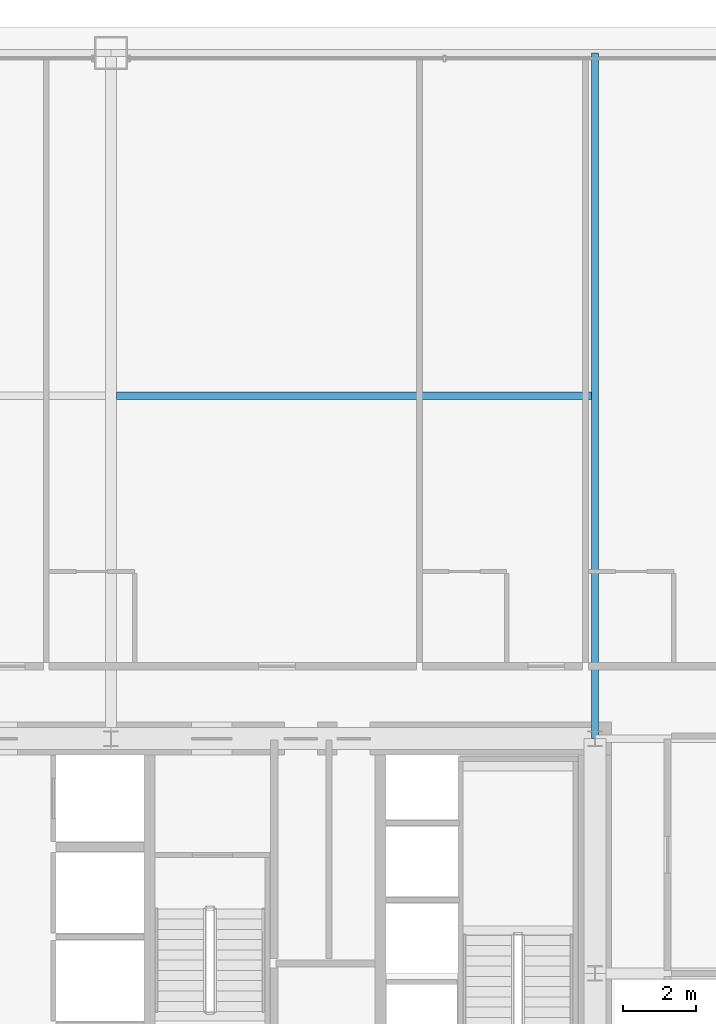
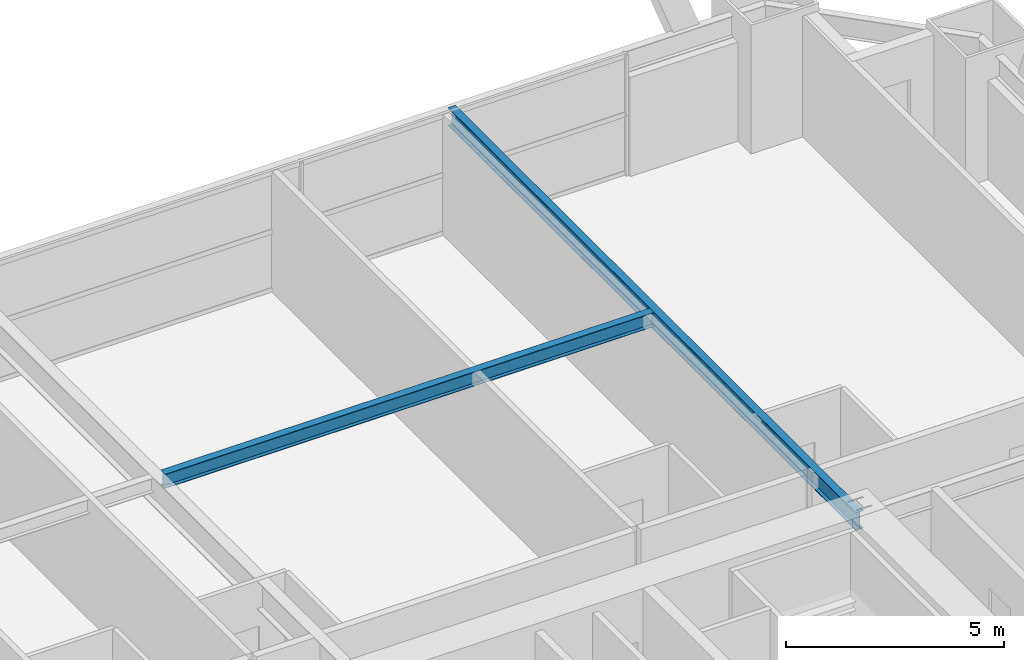
# One storey, part 31 of 43: 2 beams.
"""IFC4 building model written with IfcOpenShell, lengths in metres."""

from ifc_helpers import new_model, si_unit, direction, frame, origin, origin_2d, place, context, subcontext, project, spatial, i_section, extrude, source, transform, mapped, material, material_profile, profile_set, type_object, element, save


model = new_model("IFC4")

# Units and contexts
model_context = context("Model", 3, precision=1e-05, world=origin(), true_north=direction((0.0, 1.0)))
body_context = subcontext(model_context, "Body", "Model", "MODEL_VIEW")
ifc_project = project(units=[si_unit("LENGTHUNIT", "METRE"), si_unit("AREAUNIT", "SQUARE_METRE"), si_unit("VOLUMEUNIT", "CUBIC_METRE"), si_unit("PLANEANGLEUNIT", "RADIAN"), si_unit("MASSUNIT", "GRAM", prefix="KILO"), si_unit("THERMODYNAMICTEMPERATUREUNIT", "KELVIN"), si_unit("POWERUNIT", "WATT")], contexts=[model_context])

# Site, building, storey
site_placement = place(None, origin())
site = spatial("IfcSite", under=ifc_project, at=site_placement, CompositionType="ELEMENT")
building_placement = place(site_placement, origin())
building = spatial("IfcBuilding", under=site, at=building_placement, Name="Yuzanri Waterfront Tower", CompositionType="ELEMENT")
storey_placement = place(building_placement, frame((0.0, 0.0, 67.60009765625)))
storey = spatial("IfcBuildingStorey", under=building, at=storey_placement, Name="L17", CompositionType="ELEMENT", Elevation=67.60009765625)

# Beams
ifc_material_1 = material(Name="Steel Q355B", Category="steel")
ifc_material_profile_1 = material_profile(ifc_material_1, i_section(OverallWidth=0.199951171875, OverallDepth=0.5, WebThickness=0.010009765625, FlangeThickness=0.01611328125, at=origin_2d()), Name="HN 500x200x10x16")
ifc_profile_set_1 = profile_set([ifc_material_profile_1], Name="Steel Q355B")
beam_type_1 = type_object("IfcBeamType", Name="Secondary Floor Beam Q355B HN 500x200", PredefinedType="BEAM", material=ifc_profile_set_1)
shared_shape_1 = source(origin(), body_context, "Body", "SweptSolid", [
    extrude(i_section(OverallWidth=0.199951171875, OverallDepth=0.5, WebThickness=0.010009765625, FlangeThickness=0.01611328125, at=origin_2d()), origin(), (0.0, 0.0, 1.0), 18.699951171875),
])
beam_1_placement = place(storey_placement, frame((50.199951171875, 32.199951171875, 3.1298828125), z_axis=(0.0, 1.0, 0.0), x_axis=(-1.0, 0.0, 0.0)))
element("IfcBeam", 1, at=beam_1_placement, inside=storey, type_object=beam_type_1, Name="L17 North-East Core Line Beam", PredefinedType="BEAM", context=body_context, shape_type="MappedRepresentation", body=[
    mapped(shared_shape_1, transform((0.0, 0.0, 0.0), scale=1.0)),
])
ifc_material_2 = material(Name="Steel Q355B", Category="steel")
ifc_material_profile_2 = material_profile(ifc_material_2, i_section(OverallWidth=0.199951171875, OverallDepth=0.39990234375, WebThickness=0.008056640625, FlangeThickness=0.012939453125, at=origin_2d()), Name="HN 400x200x8x13")
ifc_profile_set_2 = profile_set([ifc_material_profile_2], Name="Steel Q355B")
beam_type_2 = type_object("IfcBeamType", Name="Floor Joist Q355B HN 400x200", PredefinedType="JOIST", material=ifc_profile_set_2)
shared_shape_2 = source(origin(), body_context, "Body", "SweptSolid", [
    extrude(i_section(OverallWidth=0.199951171875, OverallDepth=0.39990234375, WebThickness=0.008056640625, FlangeThickness=0.012939453125, at=origin_2d()), origin(), (0.0, 0.0, 1.0), 12.9501953125),
])
beam_2_placement = place(storey_placement, frame((37.14990234375, 41.550048828125, 3.179931640625), z_axis=(1.0, 0.0, 0.0), x_axis=(0.0, 1.0, 0.0)))
element("IfcBeam", 2, at=beam_2_placement, inside=storey, type_object=beam_type_2, Name="L17 North Bay Joist E", PredefinedType="JOIST", context=body_context, shape_type="MappedRepresentation", body=[
    mapped(shared_shape_2, transform((0.0, 0.0, 0.0), scale=1.0)),
])

save(model, "model.ifc")
